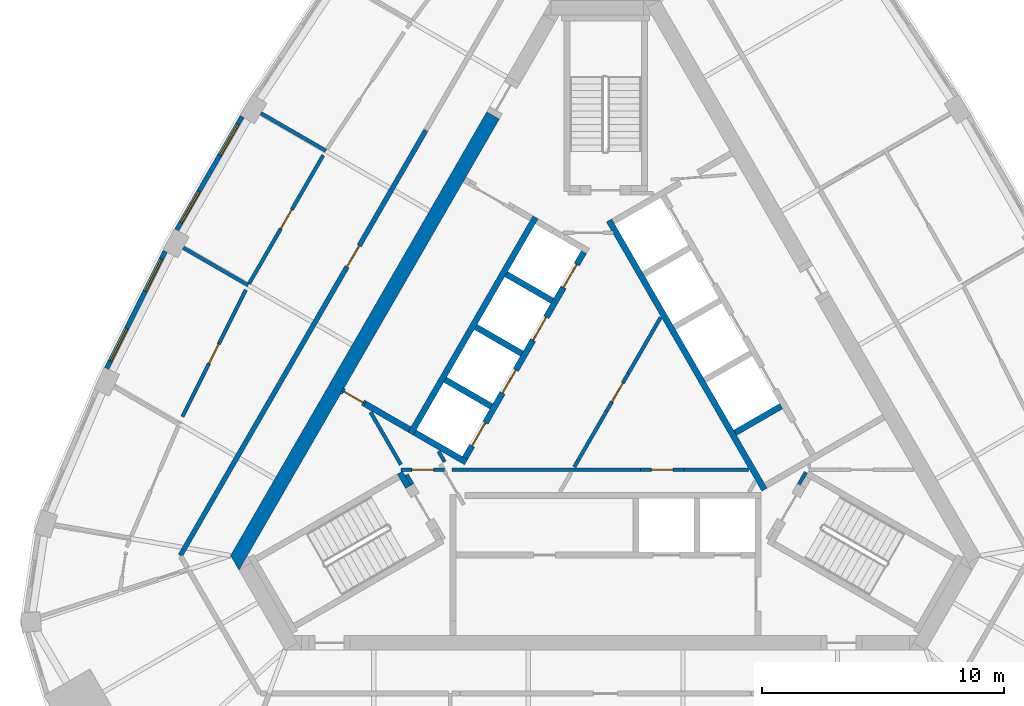
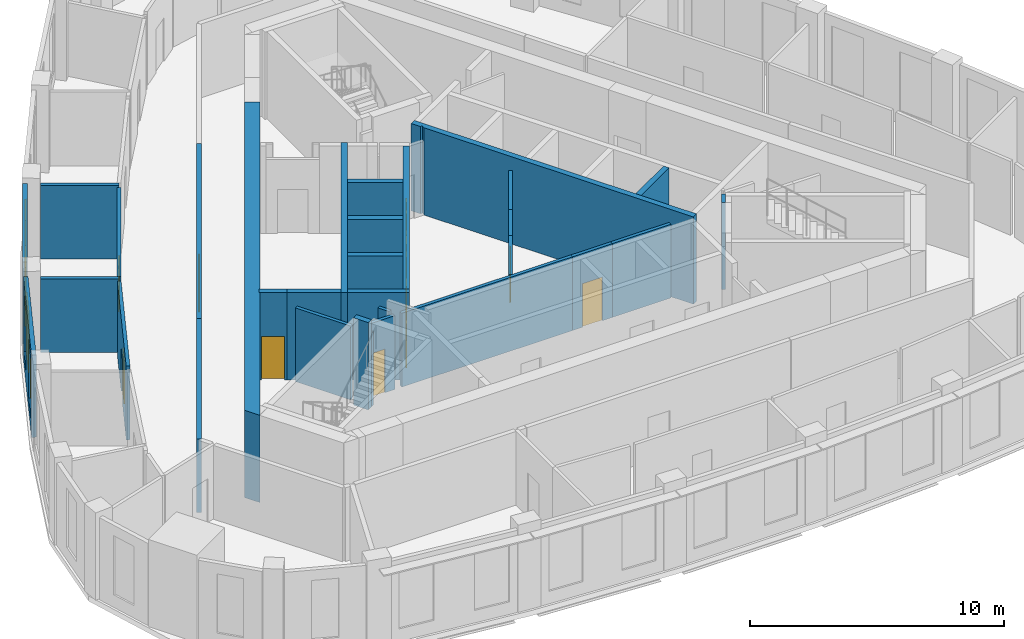
# One storey, part 5 of 10: 31 walls, 11 doors, 4 windows, 15 openings.
"""IFC4 building model written with IfcOpenShell, lengths in metres."""

from ifc_helpers import new_model, si_unit, direction, frame, frame_2d, origin, place, context, subcontext, project, spatial, polyline, rectangle, outline, extrude, material, layer, layer_set, type_object, element, fill, save


model = new_model("IFC4")

# Units and contexts
model_context = context("Model", 3, precision=1e-05, world=origin(), true_north=direction((0.0, 1.0)))
body_context = subcontext(model_context, "Body", "Model", "MODEL_VIEW")
ifc_project = project(units=[si_unit("LENGTHUNIT", "METRE"), si_unit("AREAUNIT", "SQUARE_METRE"), si_unit("VOLUMEUNIT", "CUBIC_METRE"), si_unit("PLANEANGLEUNIT", "RADIAN"), si_unit("MASSUNIT", "GRAM", prefix="KILO")], contexts=[model_context])

# Site, building, storey
site_placement = place(None, origin())
site = spatial("IfcSite", under=ifc_project, at=site_placement, CompositionType="ELEMENT")
building_placement = place(site_placement, origin())
building = spatial("IfcBuilding", under=site, at=building_placement, Name="Mestral Congress Tower", CompositionType="ELEMENT")
storey_placement = place(building_placement, frame((0.0, 0.0, 283.800048828125)))
storey = spatial("IfcBuildingStorey", under=building, at=storey_placement, Name="L66", CompositionType="ELEMENT", Elevation=283.800048828125)

# Walls
ifc_material_1 = material(Name="Fire-rated board partition")
ifc_layer_1 = layer(ifc_material_1, 0.14990234375)
ifc_layer_set_1 = layer_set([ifc_layer_1], Name="Fire-rated board partition")
wall_type_1 = type_object("IfcWallType", Name="Core partition 150", PredefinedType="PARTITIONING", material=ifc_layer_set_1)
wall_1_placement = place(storey_placement, frame((-9.717529296875, -0.41748046875, 0.0), z_axis=(0.0, 0.0, 1.0), x_axis=(0.499966538646, -0.866044721844, 0.0)))
element("IfcWall", 1, at=wall_1_placement, inside=storey, type_object=wall_type_1, Name="L66 core wall", PredefinedType="PARTITIONING", context=body_context, shape_type="SweptSolid", body=[
    extrude(rectangle(XDim=2.510986328125, YDim=0.14990234375, at=frame_2d((1.25537109375, 0.0))), origin(), (0.0, 0.0, 1.0), 3.550048828125),
])
wall_2_placement = place(storey_placement, frame((0.94091796875, 1.179443359375, 0.0), z_axis=(0.0, 0.0, 1.0), x_axis=(0.499962406319, 0.866047107418, 0.0)))
element("IfcWall", 2, at=wall_2_placement, inside=storey, type_object=wall_type_1, Name="L66 core wall", PredefinedType="PARTITIONING", context=body_context, shape_type="SweptSolid", body=[
    extrude(rectangle(XDim=2.671630859375, YDim=0.14990234375, at=frame_2d((1.3359375, 0.0))), origin(), (0.0, 0.0, 1.0), 3.550048828125),
])
wall_3_placement = place(storey_placement, frame((1.438232421875, -2.800048828125, 0.0), z_axis=(0.0, 0.0, 1.0), x_axis=(-1.0, 0.0, 0.0)))
element("IfcWall", 3, at=wall_3_placement, inside=storey, type_object=wall_type_1, Name="L66 core wall", PredefinedType="PARTITIONING", context=body_context, shape_type="SweptSolid", body=[
    extrude(rectangle(XDim=7.78125, YDim=0.14990234375, at=frame_2d((3.890625, 0.0))), origin(), (0.0, 0.0, 1.0), 3.550048828125),
])
for number, where, z_axis, x_axis, name in (
    (4, (-1.295166015625, -2.693115234375, 0.0), (0.0, 0.0, 1.0), (0.500030943131, 0.866007538022, 0.0), "L66 core wall"),
    (5, (3.23828125, -2.800048828125, 0.0), (0.0, 0.0, 1.0), (1.0, 0.0, 0.0), "L66 core wall"),
):
    element("IfcWall", number, at=place(storey_placement, frame(where, z_axis=z_axis, x_axis=x_axis)), inside=storey, type_object=wall_type_1, Name=name, PredefinedType="PARTITIONING", context=body_context, shape_type="SweptSolid", body=[
        extrude(rectangle(XDim=2.671630859375, YDim=0.14990234375, at=frame_2d((1.3359375, 0.0))), origin(), (0.0, 0.0, 1.0), 3.550048828125),
    ])
wall_4_placement = place(storey_placement, frame((-6.65283203125, -2.476806640625, 0.0), z_axis=(0.0, 0.0, 1.0), x_axis=(-0.500002592159, 0.866023907196, 0.0)))
element("IfcWall", 6, at=wall_4_placement, inside=storey, type_object=wall_type_1, Name="L66 core wall", PredefinedType="PARTITIONING", context=body_context, shape_type="SweptSolid", body=[
    extrude(rectangle(XDim=0.5029296875, YDim=0.14990234375, at=frame_2d((0.25146484375, 0.0))), origin(), (0.0, 0.0, 1.0), 3.550048828125),
])
wall_5_placement = place(storey_placement, frame((-7.990234375, -3.41162109375, 0.0), z_axis=(0.0, 0.0, 1.0), x_axis=(-0.499858525911, 0.866107068482, 0.0)))
element("IfcWall", 7, at=wall_5_placement, inside=storey, type_object=wall_type_1, Name="L66 core wall", PredefinedType="PARTITIONING", context=body_context, shape_type="SweptSolid", body=[
    extrude(rectangle(XDim=0.466064453125, YDim=0.14990234375, at=frame_2d((0.23291015625, 0.0))), origin(), (0.0, 0.0, 1.0), 3.550048828125),
])

# Wall, opening, door
wall_6_placement = place(storey_placement, frame((0.040771484375, -0.37939453125, 0.0), z_axis=(0.0, 0.0, 1.0), x_axis=(0.499961193289, 0.866047807691, 0.0)))
wall_6 = element("IfcWall", 8, at=wall_6_placement, inside=storey, type_object=wall_type_1, Name="L66 door wall", PredefinedType="PARTITIONING", context=body_context, shape_type="SweptSolid", body=[
    extrude(rectangle(XDim=1.800048828125, YDim=0.14990234375, at=frame_2d((0.89990234375, 0.0))), origin(), (0.0, 0.0, 1.0), 3.550048828125),
])
opening_1_placement = place(wall_6_placement, frame((0.449951171875, 0.0, 0.0)))
opening_1 = element("IfcOpeningElement", 9, at=opening_1_placement, cuts=wall_6, Name="Opening SD-HUB0", PredefinedType="OPENING", context=body_context, shape_type="SweptSolid", body=[
    extrude(rectangle(XDim=0.89990234375, YDim=2.10009765625, at=frame_2d((0.449951171875, 1.050048828125))), frame((0.0, 0.0849609375, 0.0), z_axis=(0.0, -1.0, 0.0), x_axis=(1.0, 0.0, 0.0)), (0.0, 0.0, 1.0), 0.169921875),
])
ifc_material_2 = material(Name="Fire-rated steel door set", Category="steel")
door_type_1 = type_object("IfcDoorType", Name="Core door SR 900x2100", OperationType="SINGLE_SWING_LEFT", PredefinedType="DOOR", material=ifc_material_2)
door_1_placement = place(opening_1_placement, origin())
door_1 = element("IfcDoor", 10, at=door_1_placement, inside=storey, type_object=door_type_1, Name="Door SD-HUB0", OperationType="SINGLE_SWING_LEFT", OverallHeight=2.10009765625, OverallWidth=0.89990234375, PredefinedType="DOOR", context=body_context, shape_type="SweptSolid", body=[
    extrude(rectangle(XDim=0.89990234375, YDim=2.10009765625, at=frame_2d((0.449951171875, 1.050048828125))), frame((0.0, 0.02490234375, 0.0), z_axis=(0.0, -1.0, 0.0), x_axis=(1.0, 0.0, 0.0)), (0.0, 0.0, 1.0), 0.050048828125),
])
fill(opening_1, door_1)

wall_7_placement = place(storey_placement, frame((1.438232421875, -2.800048828125, 0.0), z_axis=(0.0, 0.0, 1.0), x_axis=(1.0, 0.0, 0.0)))
wall_7 = element("IfcWall", 11, at=wall_7_placement, inside=storey, type_object=wall_type_1, Name="L66 door wall", PredefinedType="PARTITIONING", context=body_context, shape_type="SweptSolid", body=[
    extrude(rectangle(XDim=1.800048828125, YDim=0.14990234375, at=frame_2d((0.89990234375, 0.0))), origin(), (0.0, 0.0, 1.0), 3.550048828125),
])
opening_2_placement = place(wall_7_placement, frame((0.449951171875, 0.0, 0.0)))
opening_2 = element("IfcOpeningElement", 12, at=opening_2_placement, cuts=wall_7, Name="Opening SD-HUB2", PredefinedType="OPENING", context=body_context, shape_type="SweptSolid", body=[
    extrude(rectangle(XDim=0.89990234375, YDim=2.10009765625, at=frame_2d((0.449951171875, 1.050048828125))), frame((0.0, 0.0849609375, 0.0), z_axis=(0.0, -1.0, 0.0), x_axis=(1.0, 0.0, 0.0)), (0.0, 0.0, 1.0), 0.169921875),
])
door_2_placement = place(opening_2_placement, origin())
door_2 = element("IfcDoor", 13, at=door_2_placement, inside=storey, type_object=door_type_1, Name="Door SD-HUB2", OperationType="SINGLE_SWING_LEFT", OverallHeight=2.10009765625, OverallWidth=0.89990234375, PredefinedType="DOOR", context=body_context, shape_type="SweptSolid", body=[
    extrude(rectangle(XDim=0.89990234375, YDim=2.10009765625, at=frame_2d((0.449951171875, 1.050048828125))), frame((0.0, 0.02490234375, 0.0), z_axis=(0.0, -1.0, 0.0), x_axis=(1.0, 0.0, 0.0)), (0.0, 0.0, 1.0), 0.050048828125),
])
fill(opening_2, door_2)

wall_8_placement = place(storey_placement, frame((-6.654541015625, -2.800048828125, 0.0), z_axis=(0.0, 0.0, 1.0), x_axis=(-1.0, 0.0, 0.0)))
wall_8 = element("IfcWall", 14, at=wall_8_placement, inside=storey, type_object=wall_type_1, Name="L66 door wall", PredefinedType="PARTITIONING", context=body_context, shape_type="SweptSolid", body=[
    extrude(rectangle(XDim=1.800048828125, YDim=0.14990234375, at=frame_2d((0.89990234375, 0.0))), origin(), (0.0, 0.0, 1.0), 3.550048828125),
])
opening_3_placement = place(wall_8_placement, frame((0.449951171875, 0.0, 0.0)))
opening_3 = element("IfcOpeningElement", 15, at=opening_3_placement, cuts=wall_8, Name="Opening SD-HUB5", PredefinedType="OPENING", context=body_context, shape_type="SweptSolid", body=[
    extrude(rectangle(XDim=0.89990234375, YDim=2.10009765625, at=frame_2d((0.449951171875, 1.050048828125))), frame((0.0, 0.0849609375, 0.0), z_axis=(0.0, -1.0, 0.0), x_axis=(1.0, 0.0, 0.0)), (0.0, 0.0, 1.0), 0.169921875),
])
door_3_placement = place(opening_3_placement, origin())
door_3 = element("IfcDoor", 16, at=door_3_placement, inside=storey, type_object=door_type_1, Name="Door SD-HUB5", OperationType="SINGLE_SWING_LEFT", OverallHeight=2.10009765625, OverallWidth=0.89990234375, PredefinedType="DOOR", context=body_context, shape_type="SweptSolid", body=[
    extrude(rectangle(XDim=0.89990234375, YDim=2.10009765625, at=frame_2d((0.449951171875, 1.050048828125))), frame((0.0, 0.02490234375, 0.0), z_axis=(0.0, -1.0, 0.0), x_axis=(1.0, 0.0, 0.0)), (0.0, 0.0, 1.0), 0.050048828125),
])
fill(opening_3, door_3)

# Wall
ifc_material_3 = material(Name="Concrete C60/75", Category="concrete")
ifc_layer_2 = layer(ifc_material_3, 0.60009765625)
ifc_layer_set_2 = layer_set([ifc_layer_2], Name="Concrete C60/75")
wall_type_2 = type_object("IfcWallType", Name="Core wall RC 600", PredefinedType="SOLIDWALL", material=ifc_layer_set_2)
placement = place(storey_placement, origin())
element("IfcWall", 17, at=placement, inside=storey, type_object=wall_type_2, Name="L66 core wall", PredefinedType="SOLIDWALL", context=body_context, shape_type="SweptSolid", body=[
    extrude(outline(polyline([(-15.501953125, -6.35009765625), (-4.912109375, 11.991943359375), (-4.392578125, 11.69189453125), (-10.814697265625, 0.568603515625), (-10.840087890625, 0.583251953125), (-10.840087890625, 0.583251953125), (-10.84033203125, 0.583251953125), (-10.96533203125, 0.36669921875), (-10.96533203125, 0.36669921875), (-10.965087890625, 0.36669921875), (-10.939697265625, 0.351806640625), (-11.03271484375, 0.19091796875), (-14.80908203125, -6.35009765625), (-15.155517578125, -6.949951171875), (-15.501953125, -6.35009765625)])), origin(), (0.0, 0.0, 1.0), 4.199951171875),
])

# Wall, openings, windows
ifc_material_4 = material(Name="Precast concrete C40/50 with limestone facing", Category="masonry")
ifc_layer_3 = layer(ifc_material_4, 0.18994140625)
ifc_layer_set_3 = layer_set([ifc_layer_3], Name="Precast concrete C40/50 with limestone facing")
wall_type_3 = type_object("IfcWallType", Name="Facade stone wall 190", PredefinedType="SOLIDWALL", material=ifc_layer_set_3)
wall_10_placement = place(storey_placement, frame((-15.025146484375, 11.7958984375, 0.0), z_axis=(0.0, 0.0, 1.0), x_axis=(-0.500024767483, -0.866011103799, 0.0)))
wall_10 = element("IfcWall", 18, at=wall_10_placement, inside=storey, type_object=wall_type_3, Name="Facade wall F2-02", PredefinedType="SOLIDWALL", context=body_context, shape_type="SweptSolid", body=[
    extrude(rectangle(XDim=5.406005859375, YDim=0.18994140625, at=frame_2d((2.703125, 0.0))), origin(), (0.0, 0.0, 1.0), 3.949951171875),
])
opening_4_placement = place(wall_10_placement, frame((0.346435546875, 0.0, 0.60009765625)))
opening_4 = element("IfcOpeningElement", 19, at=opening_4_placement, cuts=wall_10, Name="Opening W6", PredefinedType="OPENING", context=body_context, shape_type="SweptSolid", body=[
    extrude(rectangle(XDim=1.5, YDim=2.85009765625, at=frame_2d((0.75, 1.425048828125))), frame((0.0, 0.10498046875, 0.0), z_axis=(0.0, -1.0, 0.0), x_axis=(1.0, 0.0, 0.0)), (0.0, 0.0, 1.0), 0.2099609375),
])
opening_5_placement = place(wall_10_placement, frame((3.559326171875, 0.0, 0.60009765625)))
opening_5 = element("IfcOpeningElement", 20, at=opening_5_placement, cuts=wall_10, Name="Opening W6", PredefinedType="OPENING", context=body_context, shape_type="SweptSolid", body=[
    extrude(rectangle(XDim=1.5, YDim=2.85009765625, at=frame_2d((0.75, 1.425048828125))), frame((0.0, 0.10498046875, 0.0), z_axis=(0.0, -1.0, 0.0), x_axis=(1.0, 0.0, 0.0)), (0.0, 0.0, 1.0), 0.2099609375),
])
ifc_material_5 = material(Name="Clear low-emissivity double glazing", Category="glass")
window_type = type_object("IfcWindowType", Name="Facade punched window 1500 x 2850 sill 600", PartitioningType="SINGLE_PANEL", PredefinedType="WINDOW", material=ifc_material_5)
window_1_placement = place(opening_4_placement, origin())
window_1 = element("IfcWindow", 21, at=window_1_placement, inside=storey, type_object=window_type, Name="Window F2-02a", OverallHeight=2.85009765625, OverallWidth=1.5, PartitioningType="SINGLE_PANEL", PredefinedType="WINDOW", context=body_context, shape_type="SweptSolid", body=[
    extrude(rectangle(XDim=1.5, YDim=2.85009765625, at=frame_2d((0.75, 1.425048828125))), frame((0.0, 0.044921875, 0.0), z_axis=(0.0, -1.0, 0.0), x_axis=(1.0, 0.0, 0.0)), (0.0, 0.0, 1.0), 0.06005859375),
])
fill(opening_4, window_1)
window_2_placement = place(opening_5_placement, origin())
window_2 = element("IfcWindow", 22, at=window_2_placement, inside=storey, type_object=window_type, Name="Window F2-02b", OverallHeight=2.85009765625, OverallWidth=1.5, PartitioningType="SINGLE_PANEL", PredefinedType="WINDOW", context=body_context, shape_type="SweptSolid", body=[
    extrude(rectangle(XDim=1.5, YDim=2.85009765625, at=frame_2d((0.75, 1.425048828125))), frame((0.0, 0.044921875, 0.0), z_axis=(0.0, -1.0, 0.0), x_axis=(1.0, 0.0, 0.0)), (0.0, 0.0, 1.0), 0.06005859375),
])
fill(opening_5, window_2)

wall_11_placement = place(storey_placement, frame((-18.205810546875, 6.226806640625, 0.0), z_axis=(0.0, 0.0, 1.0), x_axis=(-0.447484531401, -0.894291671747, 0.0)))
wall_11 = element("IfcWall", 23, at=wall_11_placement, inside=storey, type_object=wall_type_3, Name="Facade wall F2-03", PredefinedType="SOLIDWALL", context=body_context, shape_type="SweptSolid", body=[
    extrude(rectangle(XDim=5.40625, YDim=0.18994140625, at=frame_2d((2.703125, 0.0))), origin(), (0.0, 0.0, 1.0), 3.949951171875),
])
opening_6_placement = place(wall_11_placement, frame((0.346435546875, 0.0, 0.60009765625)))
opening_6 = element("IfcOpeningElement", 24, at=opening_6_placement, cuts=wall_11, Name="Opening W6", PredefinedType="OPENING", context=body_context, shape_type="SweptSolid", body=[
    extrude(rectangle(XDim=1.5, YDim=2.85009765625, at=frame_2d((0.75, 1.425048828125))), frame((0.0, 0.10498046875, 0.0), z_axis=(0.0, -1.0, 0.0), x_axis=(1.0, 0.0, 0.0)), (0.0, 0.0, 1.0), 0.2099609375),
])
opening_7_placement = place(wall_11_placement, frame((3.559326171875, 0.0, 0.60009765625)))
opening_7 = element("IfcOpeningElement", 25, at=opening_7_placement, cuts=wall_11, Name="Opening W6", PredefinedType="OPENING", context=body_context, shape_type="SweptSolid", body=[
    extrude(rectangle(XDim=1.5, YDim=2.85009765625, at=frame_2d((0.75, 1.425048828125))), frame((0.0, 0.10498046875, 0.0), z_axis=(0.0, -1.0, 0.0), x_axis=(1.0, 0.0, 0.0)), (0.0, 0.0, 1.0), 0.2099609375),
])
window_3_placement = place(opening_6_placement, origin())
window_3 = element("IfcWindow", 26, at=window_3_placement, inside=storey, type_object=window_type, Name="Window F2-03a", OverallHeight=2.85009765625, OverallWidth=1.5, PartitioningType="SINGLE_PANEL", PredefinedType="WINDOW", context=body_context, shape_type="SweptSolid", body=[
    extrude(rectangle(XDim=1.5, YDim=2.85009765625, at=frame_2d((0.75, 1.425048828125))), frame((0.0, 0.044921875, 0.0), z_axis=(0.0, -1.0, 0.0), x_axis=(1.0, 0.0, 0.0)), (0.0, 0.0, 1.0), 0.06005859375),
])
fill(opening_6, window_3)
window_4_placement = place(opening_7_placement, origin())
window_4 = element("IfcWindow", 27, at=window_4_placement, inside=storey, type_object=window_type, Name="Window F2-03b", OverallHeight=2.85009765625, OverallWidth=1.5, PartitioningType="SINGLE_PANEL", PredefinedType="WINDOW", context=body_context, shape_type="SweptSolid", body=[
    extrude(rectangle(XDim=1.5, YDim=2.85009765625, at=frame_2d((0.75, 1.425048828125))), frame((0.0, 0.044921875, 0.0), z_axis=(0.0, -1.0, 0.0), x_axis=(1.0, 0.0, 0.0)), (0.0, 0.0, 1.0), 0.06005859375),
])
fill(opening_7, window_4)

# Walls
ifc_material_6 = material(Name="Plasterboard partition on steel studs", Category="steel")
ifc_layer_4 = layer(ifc_material_6, 0.14990234375)
ifc_layer_set_4 = layer_set([ifc_layer_4], Name="Plasterboard partition on steel studs")
wall_type_4 = type_object("IfcWallType", Name="Office partition 150", PredefinedType="PARTITIONING", material=ifc_layer_set_4)
for number, where, z_axis, x_axis, name in (
    (28, (-11.564208984375, 10.38671875, 0.0), (0.0, 0.0, 1.0), (-0.86604641216, 0.499963610661, 0.0), "Partition"),
    (29, (-14.77734375, 4.821533203125, 0.0), (0.0, 0.0, 1.0), (-0.865992557167, 0.500056887695, 0.0), "Partition"),
):
    element("IfcWall", number, at=place(storey_placement, frame(where, z_axis=z_axis, x_axis=x_axis)), inside=storey, type_object=wall_type_4, Name=name, PredefinedType="PARTITIONING", context=body_context, shape_type="SweptSolid", body=[
        extrude(rectangle(XDim=3.096435546875, YDim=0.14990234375, at=frame_2d((1.54833984375, 0.0))), origin(), (0.0, 0.0, 1.0), 3.550048828125),
    ])

# Wall, opening, door
wall_12_placement = place(storey_placement, frame((-14.73974609375, 4.88671875, 0.0), z_axis=(0.0, 0.0, 1.0), x_axis=(0.500007141444, 0.86602128063, 0.0)))
wall_12 = element("IfcWall", 30, at=wall_12_placement, inside=storey, type_object=wall_type_4, Name="Partition", PredefinedType="PARTITIONING", context=body_context, shape_type="SweptSolid", body=[
    extrude(rectangle(XDim=6.13671875, YDim=0.14990234375, at=frame_2d((3.068359375, 0.0))), origin(), (0.0, 0.0, 1.0), 3.550048828125),
])
opening_8_placement = place(wall_12_placement, frame((2.63671875, 0.0, 0.0)))
opening_8 = element("IfcOpeningElement", 31, at=opening_8_placement, cuts=wall_12, Name="Opening O12-014", PredefinedType="OPENING", context=body_context, shape_type="SweptSolid", body=[
    extrude(rectangle(XDim=0.89990234375, YDim=2.10009765625, at=frame_2d((0.449951171875, 1.050048828125))), frame((0.0, 0.0849609375, 0.0), z_axis=(0.0, -1.0, 0.0), x_axis=(1.0, 0.0, 0.0)), (0.0, 0.0, 1.0), 0.169921875),
])
ifc_material_7 = material(Name="Timber door set", Category="wood")
door_type_2 = type_object("IfcDoorType", Name="Office door 900x2100", OperationType="SINGLE_SWING_LEFT", PredefinedType="DOOR", material=ifc_material_7)
door_4_placement = place(opening_8_placement, origin())
door_4 = element("IfcDoor", 32, at=door_4_placement, inside=storey, type_object=door_type_2, Name="Door O12-014", OperationType="SINGLE_SWING_RIGHT", OverallHeight=2.10009765625, OverallWidth=0.89990234375, PredefinedType="DOOR", context=body_context, shape_type="SweptSolid", body=[
    extrude(rectangle(XDim=0.89990234375, YDim=2.10009765625, at=frame_2d((0.449951171875, 1.050048828125))), frame((0.0, 0.02490234375, 0.0), z_axis=(0.0, -1.0, 0.0), x_axis=(1.0, 0.0, 0.0)), (0.0, 0.0, 1.0), 0.050048828125),
])
fill(opening_8, door_4)

wall_13_placement = place(storey_placement, frame((-17.49658203125, -0.61328125, 0.0), z_axis=(0.0, 0.0, 1.0), x_axis=(0.447480081559, 0.89429389834, 0.0)))
wall_13 = element("IfcWall", 33, at=wall_13_placement, inside=storey, type_object=wall_type_4, Name="Partition", PredefinedType="PARTITIONING", context=body_context, shape_type="SweptSolid", body=[
    extrude(rectangle(XDim=5.86279296875, YDim=0.14990234375, at=frame_2d((2.931396484375, 0.0))), origin(), (0.0, 0.0, 1.0), 3.550048828125),
])
opening_9_placement = place(wall_13_placement, frame((2.463134765625, 0.0, 0.0)))
opening_9 = element("IfcOpeningElement", 34, at=opening_9_placement, cuts=wall_13, Name="Opening O12-015", PredefinedType="OPENING", context=body_context, shape_type="SweptSolid", body=[
    extrude(rectangle(XDim=0.89990234375, YDim=2.10009765625, at=frame_2d((0.449951171875, 1.050048828125))), frame((0.0, 0.0849609375, 0.0), z_axis=(0.0, -1.0, 0.0), x_axis=(1.0, 0.0, 0.0)), (0.0, 0.0, 1.0), 0.169921875),
])
door_5_placement = place(opening_9_placement, origin())
door_5 = element("IfcDoor", 35, at=door_5_placement, inside=storey, type_object=door_type_2, Name="Door O12-015", OperationType="SINGLE_SWING_LEFT", OverallHeight=2.10009765625, OverallWidth=0.89990234375, PredefinedType="DOOR", context=body_context, shape_type="SweptSolid", body=[
    extrude(rectangle(XDim=0.89990234375, YDim=2.10009765625, at=frame_2d((0.449951171875, 1.050048828125))), frame((0.0, 0.02490234375, 0.0), z_axis=(0.0, -1.0, 0.0), x_axis=(1.0, 0.0, 0.0)), (0.0, 0.0, 1.0), 0.050048828125),
])
fill(opening_9, door_5)

ifc_material_8 = material(Name="Dense masonry wall, plastered", Category="masonry")
ifc_layer_5 = layer(ifc_material_8, 0.199951171875)
ifc_layer_set_5 = layer_set([ifc_layer_5], Name="Dense masonry wall, plastered")
wall_type_5 = type_object("IfcWallType", Name="Office tenancy wall 200", PredefinedType="PARTITIONING", material=ifc_layer_set_5)
wall_14_placement = place(storey_placement, frame((-7.435546875, 11.22119140625, 0.0), z_axis=(0.0, 0.0, 1.0), x_axis=(-0.49999894854, -0.866026010844, 0.0)))
wall_14 = element("IfcWall", 36, at=wall_14_placement, inside=storey, type_object=wall_type_5, Name="Tenancy wall", PredefinedType="PARTITIONING", context=body_context, shape_type="SweptSolid", body=[
    extrude(rectangle(XDim=12.0, YDim=0.199951171875, at=frame_2d((6.0, 0.0))), origin(), (0.0, 0.0, 1.0), 3.550048828125),
])
opening_10_placement = place(wall_14_placement, frame((5.5, 0.0, 0.0)))
opening_10 = element("IfcOpeningElement", 37, at=opening_10_placement, cuts=wall_14, Name="Opening O12-018", PredefinedType="OPENING", context=body_context, shape_type="SweptSolid", body=[
    extrude(rectangle(XDim=1.0, YDim=2.10009765625, at=frame_2d((0.5, 1.050048828125))), frame((0.0, 0.10986328125, 0.0), z_axis=(0.0, -1.0, 0.0), x_axis=(1.0, 0.0, 0.0)), (0.0, 0.0, 1.0), 0.219970703125),
])
ifc_material_9 = material(Name="Fire-rated timber door set", Category="wood")
door_type_3 = type_object("IfcDoorType", Name="Office tenancy entrance door 1000x2100", OperationType="SINGLE_SWING_LEFT", PredefinedType="DOOR", material=ifc_material_9)
door_6_placement = place(opening_10_placement, origin())
door_6 = element("IfcDoor", 38, at=door_6_placement, inside=storey, type_object=door_type_3, Name="Door O12-018", OperationType="SINGLE_SWING_RIGHT", OverallHeight=2.10009765625, OverallWidth=1.0, PredefinedType="DOOR", context=body_context, shape_type="SweptSolid", body=[
    extrude(rectangle(XDim=1.0, YDim=2.10009765625, at=frame_2d((0.5, 1.050048828125))), frame((0.0, 0.02490234375, 0.0), z_axis=(0.0, -1.0, 0.0), x_axis=(1.0, 0.0, 0.0)), (0.0, 0.0, 1.0), 0.050048828125),
])
fill(opening_10, door_6)

# Walls
wall_15_placement = place(storey_placement, frame((-13.45068359375, 0.802978515625, 0.0), z_axis=(0.0, 0.0, 1.0), x_axis=(-0.499982585408, -0.86603545787, 0.0)))
element("IfcWall", 39, at=wall_15_placement, inside=storey, type_object=wall_type_5, Name="Tenancy wall", PredefinedType="PARTITIONING", context=body_context, shape_type="SweptSolid", body=[
    extrude(rectangle(XDim=8.259521484375, YDim=0.199951171875, at=frame_2d((4.1298828125, 0.0))), origin(), (0.0, 0.0, 1.0), 3.550048828125),
])
ifc_layer_6 = layer(ifc_material_3, 0.25)
ifc_layer_set_6 = layer_set([ifc_layer_6], Name="Concrete C60/75")
wall_type_6 = type_object("IfcWallType", Name="Shaft wall RC 250", PredefinedType="SOLIDWALL", material=ifc_layer_set_6)
element("IfcWall", 40, at=placement, inside=storey, type_object=wall_type_6, Name="L66 core wall", PredefinedType="SOLIDWALL", context=body_context, shape_type="SweptSolid", body=[
    extrude(outline(polyline([(0.33203125, 6.9248046875), (0.334716796875, 6.9248046875), (0.334716796875, 6.925048828125), (0.334716796875, 6.925048828125), (0.334716796875, 7.074951171875), (0.334716796875, 7.074951171875), (0.334716796875, 7.0751953125), (0.245361328125, 7.0751953125), (0.03515625, 7.439208984375), (0.251708984375, 7.564208984375), (0.376708984375, 7.34765625), (1.51171875, 5.3818359375), (1.63671875, 5.165283203125), (2.220947265625, 4.153076171875), (2.771484375, 3.199462890625), (2.896484375, 2.98291015625), (3.13818359375, 2.564208984375), (4.031494140625, 1.01708984375), (4.156494140625, 0.800537109375), (5.29150390625, -1.165283203125), (5.41650390625, -1.3818359375), (6.072998046875, -2.518798828125), (6.551513671875, -3.34765625), (6.676513671875, -3.564208984375), (6.460205078125, -3.689208984375), (0.33203125, 6.9248046875)])), origin(), (0.0, 0.0, 1.0), 4.199951171875),
])
wall_17_placement = place(storey_placement, frame((5.35400390625, -1.273681640625, 0.0), z_axis=(0.0, 0.0, 1.0), x_axis=(0.866008176907, 0.50002983664, 0.0)))
element("IfcWall", 41, at=wall_17_placement, inside=storey, type_object=wall_type_6, Name="L66 core wall", PredefinedType="SOLIDWALL", context=body_context, shape_type="SweptSolid", body=[
    extrude(rectangle(XDim=2.199951171875, YDim=0.25, at=frame_2d((1.10009765625, 0.0))), origin(), (0.0, 0.0, 1.0), 4.199951171875),
])
wall_18_placement = place(storey_placement, frame((-8.06005859375, -1.310546875, 0.0), z_axis=(0.0, 0.0, 1.0), x_axis=(0.50000273126, 0.866023826885, 0.0)))
element("IfcWall", 42, at=wall_18_placement, inside=storey, type_object=wall_type_6, Name="L66 core wall", PredefinedType="SOLIDWALL", context=body_context, shape_type="SweptSolid", body=[
    extrude(rectangle(XDim=10.330078125, YDim=0.25, at=frame_2d((5.1650390625, 0.0))), origin(), (0.0, 0.0, 1.0), 4.199951171875),
])
for number, where, z_axis, x_axis, name in (
    (43, (-2.2041015625, 4.182373046875, 0.0), (0.0, 0.0, 1.0), (-0.866008176907, 0.50002983664, 0.0), "L66 core wall"),
    (44, (-5.369384765625, 3.10009765625, 0.0), (0.0, 0.0, 1.0), (0.866008176907, -0.50002983664, 0.0), "L66 core wall"),
    (45, (-4.72412109375, -0.182373046875, 0.0), (0.0, 0.0, 1.0), (-0.866008176907, 0.50002983664, 0.0), "L66 core wall"),
):
    element("IfcWall", number, at=place(storey_placement, frame(where, z_axis=z_axis, x_axis=x_axis)), inside=storey, type_object=wall_type_6, Name=name, PredefinedType="SOLIDWALL", context=body_context, shape_type="SweptSolid", body=[
        extrude(rectangle(XDim=2.199951171875, YDim=0.25, at=frame_2d((1.10009765625, 0.0))), origin(), (0.0, 0.0, 1.0), 4.199951171875),
    ])
wall_19_placement = place(storey_placement, frame((-7.889404296875, -1.264892578125, 0.0), z_axis=(0.0, 0.0, 1.0), x_axis=(0.866057815567, -0.499943856944, 0.0)))
element("IfcWall", 46, at=wall_19_placement, inside=storey, type_object=wall_type_6, Name="L66 core wall", PredefinedType="SOLIDWALL", context=body_context, shape_type="SweptSolid", body=[
    extrude(rectangle(XDim=2.449951171875, YDim=0.25, at=frame_2d((1.22509765625, 0.0))), origin(), (0.0, 0.0, 1.0), 4.199951171875),
])
wall_20_placement = place(storey_placement, frame((-9.949951171875, -0.074951171875, 0.0), z_axis=(0.0, 0.0, 1.0), x_axis=(0.865962177421, -0.500109495288, 0.0)))
element("IfcWall", 47, at=wall_20_placement, inside=storey, type_object=wall_type_6, Name="L66 core wall", PredefinedType="SOLIDWALL", context=body_context, shape_type="SweptSolid", body=[
    extrude(rectangle(XDim=2.12939453125, YDim=0.25, at=frame_2d((1.064697265625, 0.0))), origin(), (0.0, 0.0, 1.0), 4.199951171875),
])

# Wall, openings, doors
wall_21_placement = place(storey_placement, frame((-0.898193359375, 6.194091796875, 0.0), z_axis=(0.0, 0.0, 1.0), x_axis=(-0.499996202215, -0.866027596426, 0.0)))
wall_21 = element("IfcWall", 48, at=wall_21_placement, inside=storey, type_object=wall_type_6, Name="L66 door wall", PredefinedType="SOLIDWALL", context=body_context, shape_type="SweptSolid", body=[
    extrude(rectangle(XDim=9.830078125, YDim=0.25, at=frame_2d((4.9150390625, 0.0))), origin(), (0.0, 0.0, 1.0), 4.199951171875),
])
opening_11_placement = place(wall_21_placement, frame((0.5849609375, 0.0, 0.0)))
opening_11 = element("IfcOpeningElement", 49, at=opening_11_placement, cuts=wall_21, Name="Opening LD-NWB1", PredefinedType="OPENING", context=body_context, shape_type="SweptSolid", body=[
    extrude(rectangle(XDim=1.10009765625, YDim=2.10009765625, at=frame_2d((0.550048828125, 1.050048828125))), frame((0.0, 0.135009765625, 0.0), z_axis=(0.0, -1.0, 0.0), x_axis=(1.0, 0.0, 0.0)), (0.0, 0.0, 1.0), 0.27001953125),
])
opening_12_placement = place(wall_21_placement, frame((3.10498046875, 0.0, 0.0)))
opening_12 = element("IfcOpeningElement", 50, at=opening_12_placement, cuts=wall_21, Name="Opening LD-NWB2", PredefinedType="OPENING", context=body_context, shape_type="SweptSolid", body=[
    extrude(rectangle(XDim=1.10009765625, YDim=2.10009765625, at=frame_2d((0.550048828125, 1.050048828125))), frame((0.0, 0.135009765625, 0.0), z_axis=(0.0, -1.0, 0.0), x_axis=(1.0, 0.0, 0.0)), (0.0, 0.0, 1.0), 0.27001953125),
])
opening_13_placement = place(wall_21_placement, frame((5.625, 0.0, 0.0)))
opening_13 = element("IfcOpeningElement", 51, at=opening_13_placement, cuts=wall_21, Name="Opening LD-NWB3", PredefinedType="OPENING", context=body_context, shape_type="SweptSolid", body=[
    extrude(rectangle(XDim=1.10009765625, YDim=2.10009765625, at=frame_2d((0.550048828125, 1.050048828125))), frame((0.0, 0.135009765625, 0.0), z_axis=(0.0, -1.0, 0.0), x_axis=(1.0, 0.0, 0.0)), (0.0, 0.0, 1.0), 0.27001953125),
])
opening_14_placement = place(wall_21_placement, frame((8.14501953125, 0.0, 0.0)))
opening_14 = element("IfcOpeningElement", 52, at=opening_14_placement, cuts=wall_21, Name="Opening LD-NWB4", PredefinedType="OPENING", context=body_context, shape_type="SweptSolid", body=[
    extrude(rectangle(XDim=1.10009765625, YDim=2.10009765625, at=frame_2d((0.550048828125, 1.050048828125))), frame((0.0, 0.135009765625, 0.0), z_axis=(0.0, -1.0, 0.0), x_axis=(1.0, 0.0, 0.0)), (0.0, 0.0, 1.0), 0.27001953125),
])
door_type_4 = type_object("IfcDoorType", Name="Core door LD 1100x2100", OperationType="DOUBLE_DOOR_SLIDING", PredefinedType="DOOR", material=ifc_material_2)
door_7_placement = place(opening_11_placement, origin())
door_7 = element("IfcDoor", 53, at=door_7_placement, inside=storey, type_object=door_type_4, Name="Door LD-NWB1", OperationType="DOUBLE_DOOR_SLIDING", OverallHeight=2.10009765625, OverallWidth=1.10009765625, PredefinedType="DOOR", context=body_context, shape_type="SweptSolid", body=[
    extrude(rectangle(XDim=1.10009765625, YDim=2.10009765625, at=frame_2d((0.550048828125, 1.050048828125))), frame((0.0, 0.02490234375, 0.0), z_axis=(0.0, -1.0, 0.0), x_axis=(1.0, 0.0, 0.0)), (0.0, 0.0, 1.0), 0.050048828125),
])
fill(opening_11, door_7)
door_8_placement = place(opening_12_placement, origin())
door_8 = element("IfcDoor", 54, at=door_8_placement, inside=storey, type_object=door_type_4, Name="Door LD-NWB2", OperationType="DOUBLE_DOOR_SLIDING", OverallHeight=2.10009765625, OverallWidth=1.10009765625, PredefinedType="DOOR", context=body_context, shape_type="SweptSolid", body=[
    extrude(rectangle(XDim=1.10009765625, YDim=2.10009765625, at=frame_2d((0.550048828125, 1.050048828125))), frame((0.0, 0.02490234375, 0.0), z_axis=(0.0, -1.0, 0.0), x_axis=(1.0, 0.0, 0.0)), (0.0, 0.0, 1.0), 0.050048828125),
])
fill(opening_12, door_8)
door_9_placement = place(opening_13_placement, origin())
door_9 = element("IfcDoor", 55, at=door_9_placement, inside=storey, type_object=door_type_4, Name="Door LD-NWB3", OperationType="DOUBLE_DOOR_SLIDING", OverallHeight=2.10009765625, OverallWidth=1.10009765625, PredefinedType="DOOR", context=body_context, shape_type="SweptSolid", body=[
    extrude(rectangle(XDim=1.10009765625, YDim=2.10009765625, at=frame_2d((0.550048828125, 1.050048828125))), frame((0.0, 0.02490234375, 0.0), z_axis=(0.0, -1.0, 0.0), x_axis=(1.0, 0.0, 0.0)), (0.0, 0.0, 1.0), 0.050048828125),
])
fill(opening_13, door_9)
door_10_placement = place(opening_14_placement, origin())
door_10 = element("IfcDoor", 56, at=door_10_placement, inside=storey, type_object=door_type_4, Name="Door LD-NWB4", OperationType="DOUBLE_DOOR_SLIDING", OverallHeight=2.10009765625, OverallWidth=1.10009765625, PredefinedType="DOOR", context=body_context, shape_type="SweptSolid", body=[
    extrude(rectangle(XDim=1.10009765625, YDim=2.10009765625, at=frame_2d((0.550048828125, 1.050048828125))), frame((0.0, 0.02490234375, 0.0), z_axis=(0.0, -1.0, 0.0), x_axis=(1.0, 0.0, 0.0)), (0.0, 0.0, 1.0), 0.050048828125),
])
fill(opening_14, door_10)

# Wall, opening, door
wall_22_placement = place(storey_placement, frame((-9.9501953125, -0.074951171875, 0.0), z_axis=(0.0, 0.0, 1.0), x_axis=(-0.865952669392, 0.500125958508, 0.0)))
wall_22 = element("IfcWall", 57, at=wall_22_placement, inside=storey, type_object=wall_type_6, Name="L66 door wall", PredefinedType="SOLIDWALL", context=body_context, shape_type="SweptSolid", body=[
    extrude(rectangle(XDim=1.099853515625, YDim=0.25, at=frame_2d((0.5498046875, 0.0))), origin(), (0.0, 0.0, 1.0), 4.199951171875),
])
opening_15_placement = place(wall_22_placement, frame((0.10009765625, 0.0, 0.0)))
opening_15 = element("IfcOpeningElement", 58, at=opening_15_placement, cuts=wall_22, Name="Opening TD3", PredefinedType="OPENING", context=body_context, shape_type="SweptSolid", body=[
    extrude(rectangle(XDim=0.89990234375, YDim=2.10009765625, at=frame_2d((0.449951171875, 1.050048828125))), frame((0.0, 0.135009765625, 0.0), z_axis=(0.0, -1.0, 0.0), x_axis=(1.0, 0.0, 0.0)), (0.0, 0.0, 1.0), 0.27001953125),
])
door_11_placement = place(opening_15_placement, origin())
door_11 = element("IfcDoor", 59, at=door_11_placement, inside=storey, type_object=door_type_1, Name="Door TD3", OperationType="SINGLE_SWING_LEFT", OverallHeight=2.10009765625, OverallWidth=0.89990234375, PredefinedType="DOOR", context=body_context, shape_type="SweptSolid", body=[
    extrude(rectangle(XDim=0.89990234375, YDim=2.10009765625, at=frame_2d((0.449951171875, 1.050048828125))), frame((0.0, 0.02490234375, 0.0), z_axis=(0.0, -1.0, 0.0), x_axis=(1.0, 0.0, 0.0)), (0.0, 0.0, 1.0), 0.050048828125),
])
fill(opening_15, door_11)

# Walls
ifc_layer_7 = layer(ifc_material_3, 0.14990234375)
ifc_layer_set_7 = layer_set([ifc_layer_7], Name="Concrete C60/75")
wall_type_7 = type_object("IfcWallType", Name="Shaft wall RC 250 door-wall 150", PredefinedType="SOLIDWALL", material=ifc_layer_set_7)
wall_23_placement = place(storey_placement, frame((8.281494140625, -2.906982421875, 0.0), z_axis=(0.0, 0.0, 1.0), x_axis=(-0.500193841991, -0.86591346013, 0.0)))
element("IfcWall", 60, at=wall_23_placement, inside=storey, type_object=wall_type_7, Name="L66 core wall", PredefinedType="PARTITIONING", context=body_context, shape_type="SweptSolid", body=[
    extrude(rectangle(XDim=0.582763671875, YDim=0.14990234375, at=frame_2d((0.29150390625, 0.0))), origin(), (0.0, 0.0, 1.0), 4.199951171875),
])
ifc_layer_8 = layer(ifc_material_3, 0.25)
ifc_layer_set_8 = layer_set([ifc_layer_8], Name="Concrete C60/75")
wall_type_8 = type_object("IfcWallType", Name="Stair wall RC 250", PredefinedType="SOLIDWALL", material=ifc_layer_set_8)
wall_24_placement = place(storey_placement, frame((-8.1630859375, -3.51123046875, 0.0), z_axis=(0.0, 0.0, 1.0), x_axis=(-0.499994068514, 0.866028828302, 0.0)))
element("IfcWall", 61, at=wall_24_placement, inside=storey, type_object=wall_type_8, Name="L66 core wall", PredefinedType="SOLIDWALL", context=body_context, shape_type="SweptSolid", body=[
    extrude(rectangle(XDim=0.67431640625, YDim=0.25, at=frame_2d((0.337158203125, 0.0))), origin(), (0.0, 0.0, 1.0), 4.199951171875),
])

save(model, "model.ifc")
